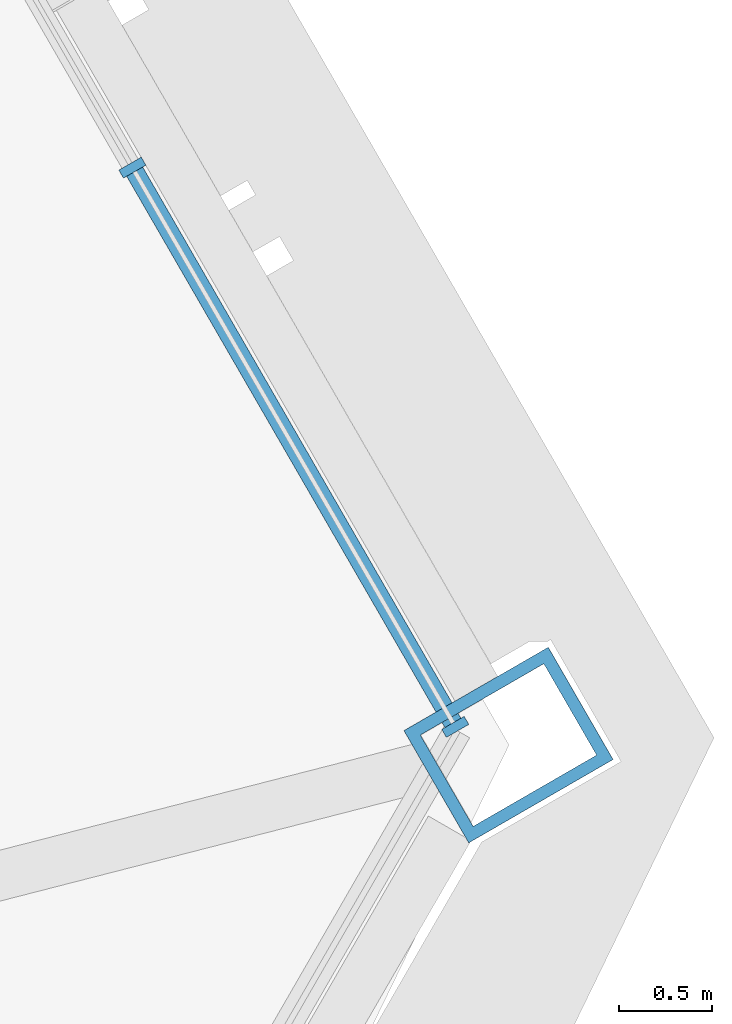
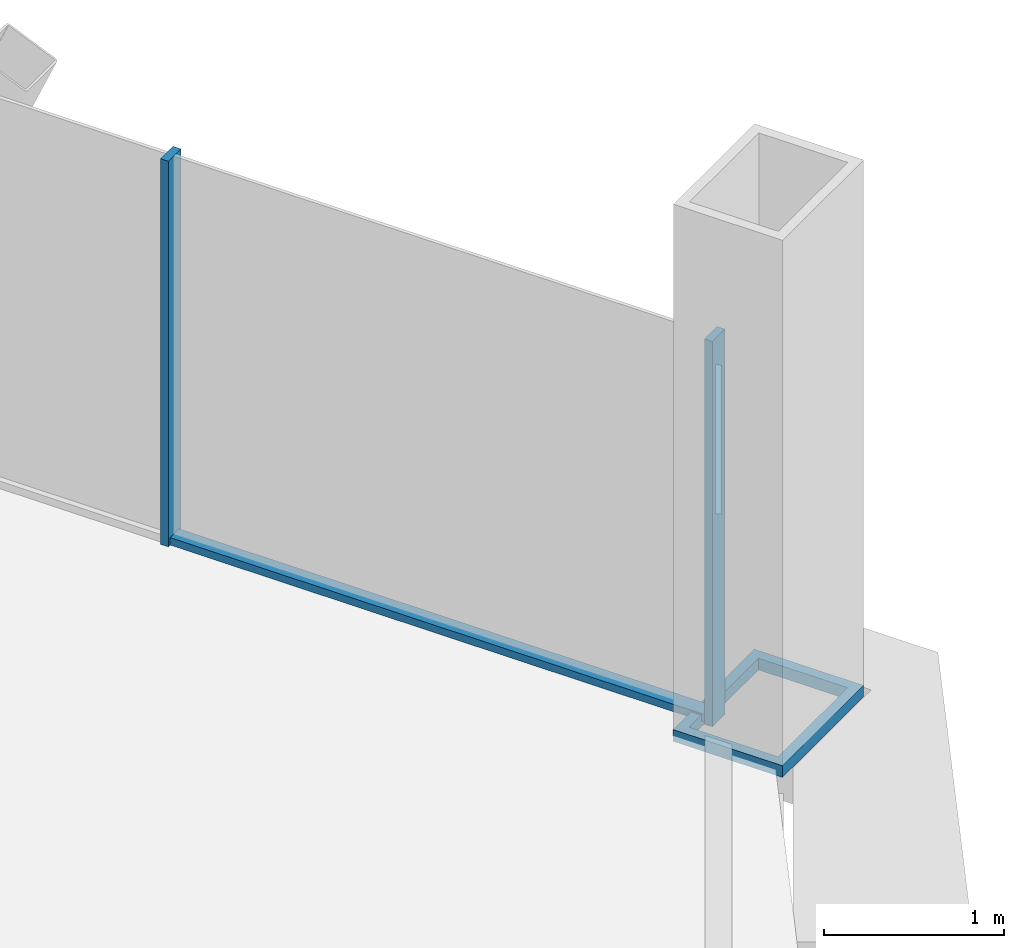
# One storey, part 7 of 18: 4 members, 1 element without a shape of its own.
"""IFC4 building model written with IfcOpenShell, lengths in metres."""

import ifcopenshell
import ifcopenshell.guid

model = None  # the IFC model being written
_history = None  # IfcOwnerHistory: only IFC2X3 demands one
_inside = {}  # id of a spatial element -> (the spatial element, [elements in it])
_under = {}  # id of a project, library or spatial element -> (it, [spatial elements below it])
_declared = {}  # id of a project -> (the project, [libraries it declares])
_typed = {}  # id of a type object -> (the type object, [elements of that type])
_made_of = {}  # id of a material, layer set ... -> (it, [elements and type objects made of it])


def new_model(schema):
    """Start an empty IFC model of exactly this schema.

    Asked for "IFC4X3", IfcOpenShell would pick the latest addendum, in which some entities
    have other attributes; the version numbers below select the first issue.
    IFC2X3 requires an IfcOwnerHistory on every rooted entity: one is made here for all.
    """
    global model, _history
    if schema == "IFC4X3":
        model = ifcopenshell.file(schema_version=(4, 3, 0, 0))
    else:
        model = ifcopenshell.file(schema=schema)
    _inside.clear()
    _under.clear()
    _declared.clear()
    _typed.clear()
    _made_of.clear()
    _history = None
    if model.schema == "IFC2X3":
        org = make("IfcOrganization", Name="unknown")
        user = make(
            "IfcPersonAndOrganization",
            ThePerson=make("IfcPerson", FamilyName="unknown"),
            TheOrganization=org,
        )
        app = make(
            "IfcApplication",
            ApplicationDeveloper=org,
            Version="unknown",
            ApplicationFullName="unknown",
            ApplicationIdentifier="unknown",
        )
        _history = make(
            "IfcOwnerHistory",
            OwningUser=user,
            OwningApplication=app,
            ChangeAction="ADDED",
            CreationDate=0,
        )
    return model


def make(cls, **values):
    """One entity of the class cls with the attributes given. An attribute that is None is left unset."""
    return model.create_entity(
        cls, **{name: value for name, value in values.items() if value is not None}
    )


def rooted(cls, **values):
    """An entity with a GlobalId (a new one), such as an element, a storey or a relation."""
    return make(cls, GlobalId=ifcopenshell.guid.new(), OwnerHistory=_history, **values)


def si_unit(unit_type, name, prefix=None):
    """IfcSIUnit, for example si_unit("LENGTHUNIT", "METRE", prefix="MILLI")."""
    return make("IfcSIUnit", UnitType=unit_type, Prefix=prefix, Name=name)


def assignment(units):
    """IfcUnitAssignment: the units of a project."""
    return None if units is None else make("IfcUnitAssignment", Units=units)


def point(xyz):
    """IfcCartesianPoint."""
    return None if xyz is None else make("IfcCartesianPoint", Coordinates=xyz)


def direction(xyz):
    """IfcDirection."""
    return None if xyz is None else make("IfcDirection", DirectionRatios=xyz)


def frame(location, z_axis=None, x_axis=None):
    """IfcAxis2Placement3D, a coordinate frame: its origin and axes. An axis left out is left unset."""
    return make(
        "IfcAxis2Placement3D",
        Location=point(location),
        Axis=direction(z_axis),
        RefDirection=direction(x_axis),
    )


def frame_2d(location, x_axis=None):
    """IfcAxis2Placement2D, a coordinate frame in the plane: its origin and x axis."""
    return make(
        "IfcAxis2Placement2D", Location=point(location), RefDirection=direction(x_axis)
    )


def origin():
    """The frame at (0, 0, 0) with its axes left unset."""
    return frame((0.0, 0.0, 0.0))


def origin_2d():
    """The frame at (0, 0) in the plane with its x axis left unset."""
    return frame_2d((0.0, 0.0))


def place(relative_to, where):
    """IfcLocalPlacement: puts the frame where relative to a parent placement (None: the world)."""
    return make(
        "IfcLocalPlacement", PlacementRelTo=relative_to, RelativePlacement=where
    )


def context(
    kind, dimensions, precision=None, world=None, true_north=None, identifier=None
):
    """IfcGeometricRepresentationContext, for example the 3D "Model" context."""
    return make(
        "IfcGeometricRepresentationContext",
        ContextIdentifier=identifier,
        ContextType=kind,
        CoordinateSpaceDimension=dimensions,
        Precision=precision,
        WorldCoordinateSystem=world,
        TrueNorth=true_north,
    )


def subcontext(parent, identifier, kind, view, scale=None):
    """IfcGeometricRepresentationSubContext, for example "Body" below "Model"."""
    return make(
        "IfcGeometricRepresentationSubContext",
        ContextIdentifier=identifier,
        ContextType=kind,
        ParentContext=parent,
        TargetScale=scale,
        TargetView=view,
    )


def project(units=None, contexts=None):
    """IfcProject with its units and contexts."""
    return rooted(
        "IfcProject",
        Name="project",
        RepresentationContexts=contexts,
        UnitsInContext=assignment(units),
    )


def spatial(cls, under=None, at=None, **own):
    """A site, building, storey or space (cls), placed at a placement, below another one or the project."""
    s = rooted(cls, ObjectPlacement=at, **own)
    if under is not None:
        _under.setdefault(under.id(), (under, []))[1].append(s)
    return s


def profile(cls, at=None, kind="AREA", **sizes):
    """A parametric profile (cls). Its sizes go by their IFC names, for example OverallWidth=200.0."""
    return make(cls, ProfileType=kind, Position=at, **sizes)


def rectangle(**sizes):
    """IfcRectangleProfileDef."""
    return profile("IfcRectangleProfileDef", **sizes)


def hollow_rectangle(**sizes):
    """IfcRectangleHollowProfileDef."""
    return profile("IfcRectangleHollowProfileDef", **sizes)


def extrude(swept, where, along, depth):
    """IfcExtrudedAreaSolid: the profile swept, set in the frame where, extruded along a direction by depth."""
    return make(
        "IfcExtrudedAreaSolid",
        SweptArea=swept,
        Position=where,
        ExtrudedDirection=direction(along),
        Depth=depth,
    )


def shape(context_of_items, identifier, shape_type, items):
    """IfcShapeRepresentation: the items that make up one representation, for example the "Body"."""
    return make(
        "IfcShapeRepresentation",
        ContextOfItems=context_of_items,
        RepresentationIdentifier=identifier,
        RepresentationType=shape_type,
        Items=items,
    )


def material(Name=None, Category=None):
    """IfcMaterial."""
    return make("IfcMaterial", Name=Name, Category=Category)


def material_profile(
    of_material, cross_section, Name=None, Category=None, Priority=None
):
    """IfcMaterialProfile: a cross section and its material."""
    return make(
        "IfcMaterialProfile",
        Name=Name,
        Material=of_material,
        Profile=cross_section,
        Priority=Priority,
        Category=Category,
    )


def profile_set(profiles, Name=None, composite=None):
    """IfcMaterialProfileSet."""
    return make(
        "IfcMaterialProfileSet",
        Name=Name,
        MaterialProfiles=profiles,
        CompositeProfile=composite,
    )


def made_of(thing, what):
    """Note that an element or type object is made of a material, layer set ...; save() writes the relation."""
    if what is not None:
        _made_of.setdefault(what.id(), (what, []))[1].append(thing)
    return thing


def type_object(cls, material=None, **own):
    """A type object (cls), such as IfcWallType, which elements share."""
    return made_of(rooted(cls, **own), material)


def element(
    cls,
    number,
    at=None,
    inside=None,
    cuts=None,
    type_object=None,
    material=None,
    context=None,
    identifier="Body",
    shape_type=None,
    held_by="IfcProductDefinitionShape",
    body=None,
    shapes=None,
    **own,
):
    """One element of the class cls, such as IfcWall. Its Tag is "e" and its number.

    at: its placement. inside: the storey or other place that contains it. cuts: it is an
    opening in that element (IfcRelVoidsElement). A single representation is given by context,
    identifier, shape_type and body (its items); several are given by shapes. held_by: the class
    of the entity that holds the representations. save() writes the other relations.
    """
    e = rooted(cls, Tag="e%d" % number, ObjectPlacement=at, **own)
    if body is not None:
        shapes = [shape(context, identifier, shape_type, body)]
    if shapes is not None:
        e.Representation = make(held_by, Representations=shapes)
    if inside is not None:
        _inside.setdefault(inside.id(), (inside, []))[1].append(e)
    if cuts is not None:
        rooted(
            "IfcRelVoidsElement", RelatingBuildingElement=cuts, RelatedOpeningElement=e
        )
    if type_object is not None:
        _typed.setdefault(type_object.id(), (type_object, []))[1].append(e)
    return made_of(e, material)


def aggregate(whole, parts):
    """IfcRelAggregates: a whole, such as a stair, and the parts it consists of."""
    return rooted("IfcRelAggregates", RelatingObject=whole, RelatedObjects=parts)


def save(model, path):
    """Write the relations noted so far, then the file.

    IfcRelAggregates (storeys below a building ...), IfcRelContainedInSpatialStructure (elements
    in a storey), IfcRelDefinesByType, IfcRelAssociatesMaterial and IfcRelDeclares: one each for
    every whole, place, type object, material and project.
    """
    for whole, parts in _under.values():
        aggregate(whole, parts)
    for where, things in _inside.values():
        rooted(
            "IfcRelContainedInSpatialStructure",
            RelatedElements=things,
            RelatingStructure=where,
        )
    for kind, things in _typed.values():
        rooted("IfcRelDefinesByType", RelatedObjects=things, RelatingType=kind)
    for what, things in _made_of.values():
        rooted("IfcRelAssociatesMaterial", RelatedObjects=things, RelatingMaterial=what)
    for by, libraries in _declared.values():
        rooted("IfcRelDeclares", RelatingContext=by, RelatedDefinitions=libraries)
    model.write(path)


model = new_model("IFC4")

# Units and contexts
model_context = context("Model", 3, precision=1e-05, world=origin(), true_north=direction((0.0, 1.0)))
body_context = subcontext(model_context, "Body", "Model", "MODEL_VIEW")
ifc_project = project(units=[si_unit("LENGTHUNIT", "METRE"), si_unit("AREAUNIT", "SQUARE_METRE"), si_unit("VOLUMEUNIT", "CUBIC_METRE"), si_unit("PLANEANGLEUNIT", "RADIAN"), si_unit("MASSUNIT", "GRAM", prefix="KILO")], contexts=[model_context])

# Site, building, storey
site_placement = place(None, origin())
site = spatial("IfcSite", under=ifc_project, at=site_placement, CompositionType="ELEMENT")
building_placement = place(site_placement, origin())
building = spatial("IfcBuilding", under=site, at=building_placement, Name="Verrane Prism Tower", CompositionType="ELEMENT")
storey_placement = place(building_placement, frame((0.0, 0.0, 47.60009765625)))
storey = spatial("IfcBuildingStorey", under=building, at=storey_placement, Name="L09", CompositionType="ELEMENT", Elevation=47.60009765625)

# Member
ifc_material_1 = material(Name="Steel A572 Grade 50", Category="steel")
ifc_material_profile_1 = material_profile(ifc_material_1, hollow_rectangle(XDim=0.699951171875, YDim=0.89990234375, WallThickness=0.06494140625, at=origin_2d()), Name="BOX 900x700x65")
ifc_profile_set_1 = profile_set([ifc_material_profile_1], Name="Steel A572 Grade 50")
member_type_1 = type_object("IfcMemberType", Name="Kink node BOX 900x700x65", PredefinedType="COLLAR", material=ifc_profile_set_1)
member_1_placement = place(storey_placement, frame((31.01806640625, 11.590087890625, -0.0400390625), z_axis=(0.0, 0.0, 1.0), x_axis=(0.5, -0.866025403784, 0.0)))
element("IfcMember", 1, at=member_1_placement, inside=storey, type_object=member_type_1, Name="Kink node MC3 L09", PredefinedType="COLLAR", context=body_context, shape_type="SweptSolid", body=[
    extrude(hollow_rectangle(XDim=0.699951171875, YDim=0.89990234375, WallThickness=0.06494140625, at=origin_2d()), origin(), (0.0, 0.0, 1.0), 0.079833984375),
])

# Curtain wall, members
ifc_material_2 = material(Name="Aluminium framed insulated glazing", Category="aluminium")
curtain_wall_type = type_object("IfcCurtainWallType", Name="Curtain wall CW-C 4200 module", PredefinedType="NOTDEFINED", material=ifc_material_2)
curtain_wall_placement = place(storey_placement, origin())
curtain_wall = element("IfcCurtainWall", 2, at=curtain_wall_placement, inside=storey, type_object=curtain_wall_type, Name="Glazed curtain wall north-east corner L09", PredefinedType="NOTDEFINED")
ifc_material_3 = material(Name="Aluminium alloy 6063-T6", Category="aluminium")
ifc_material_profile_2 = material_profile(ifc_material_3, rectangle(XDim=0.139892578125, YDim=0.050048828125, at=origin_2d()), Name="Mullion 50x140 aluminium")
ifc_profile_set_2 = profile_set([ifc_material_profile_2], Name="Aluminium alloy 6063-T6")
member_type_2 = type_object("IfcMemberType", Name="Mullion 50x140 aluminium", PredefinedType="MULLION", material=ifc_profile_set_2)
member_2_placement = place(storey_placement, frame((30.730712890625, 11.688232421875, 0.0), z_axis=(0.0, 0.0, 1.0), x_axis=(-0.866026104978, -0.499998785495, 0.0)))
member_2 = element("IfcMember", 3, at=member_2_placement, type_object=member_type_2, Name="CW09.1 mullion 1", PredefinedType="MULLION", context=body_context, shape_type="SweptSolid", body=[
    extrude(rectangle(XDim=0.139892578125, YDim=0.050048828125, at=origin_2d()), origin(), (0.0, 0.0, 1.0), 2.61279296875),
])
member_3_placement = place(storey_placement, frame((28.987060546875, 14.708251953125, 0.0), z_axis=(0.0, 0.0, 1.0), x_axis=(-0.866026104978, -0.499998785495, 0.0)))
member_3 = element("IfcMember", 4, at=member_3_placement, type_object=member_type_2, Name="CW09.1 mullion 2", PredefinedType="MULLION", context=body_context, shape_type="SweptSolid", body=[
    extrude(rectangle(XDim=0.139892578125, YDim=0.050048828125, at=origin_2d()), origin(), (0.0, 0.0, 1.0), 2.61279296875),
])
ifc_material_4 = material(Name="Aluminium alloy 6063-T6", Category="aluminium")
ifc_material_profile_3 = material_profile(ifc_material_4, rectangle(XDim=0.10009765625, YDim=0.050048828125, at=origin_2d()), Name="Transom 50x100 aluminium")
ifc_profile_set_3 = profile_set([ifc_material_profile_3], Name="Aluminium alloy 6063-T6")
member_type_3 = type_object("IfcMemberType", Name="Transom 50x100 aluminium", PredefinedType="USERDEFINED", material=ifc_profile_set_3)
member_4_placement = place(storey_placement, frame((30.718017578125, 11.7099609375, 0.02490234375), z_axis=(-0.499997097509, 0.866027079532, 0.0), x_axis=(-0.866027079532, -0.499997097509, 0.0)))
member_4 = element("IfcMember", 5, at=member_4_placement, type_object=member_type_3, Name="CW09.1 transom 1", ObjectType="TRANSOM", PredefinedType="USERDEFINED", context=body_context, shape_type="SweptSolid", body=[
    extrude(rectangle(XDim=0.10009765625, YDim=0.050048828125, at=origin_2d()), origin(), (0.0, 0.0, 1.0), 3.43701171875),
])
aggregate(curtain_wall, [member_2, member_3, member_4])

save(model, "model.ifc")
